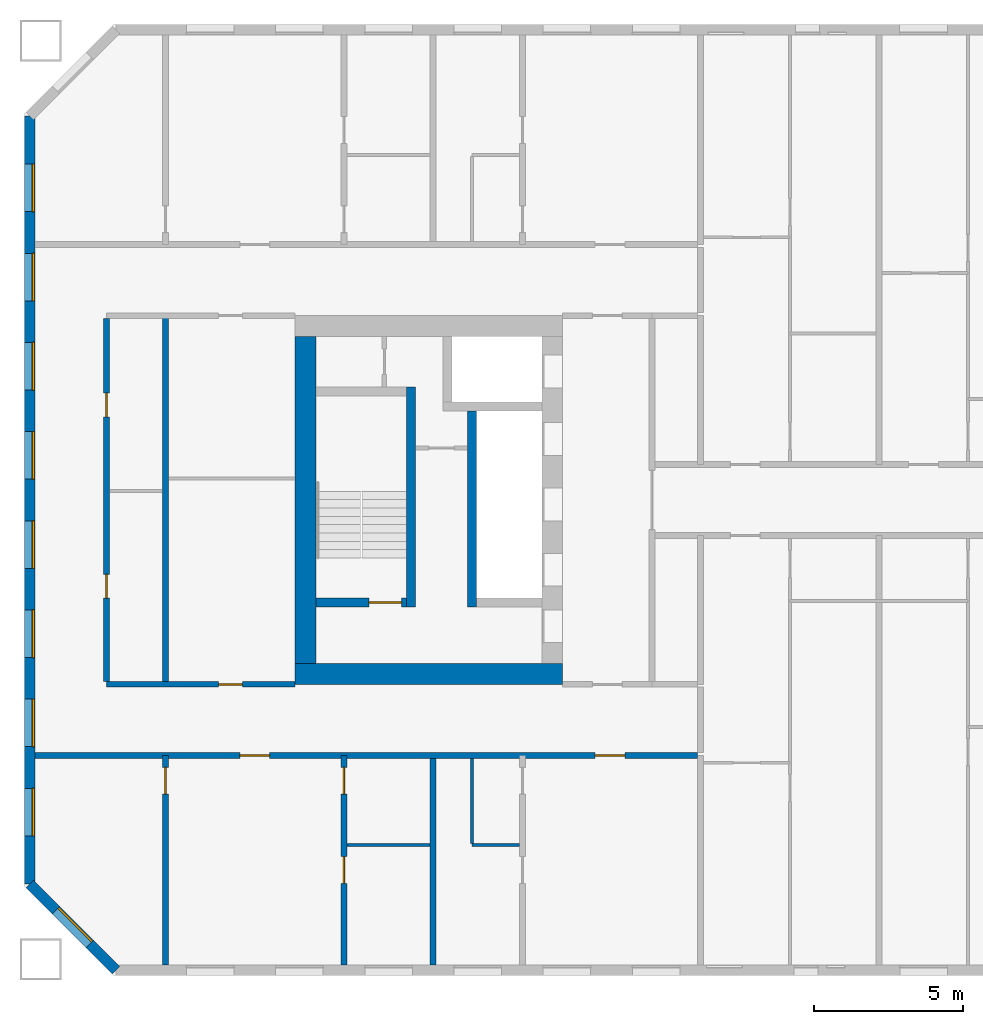
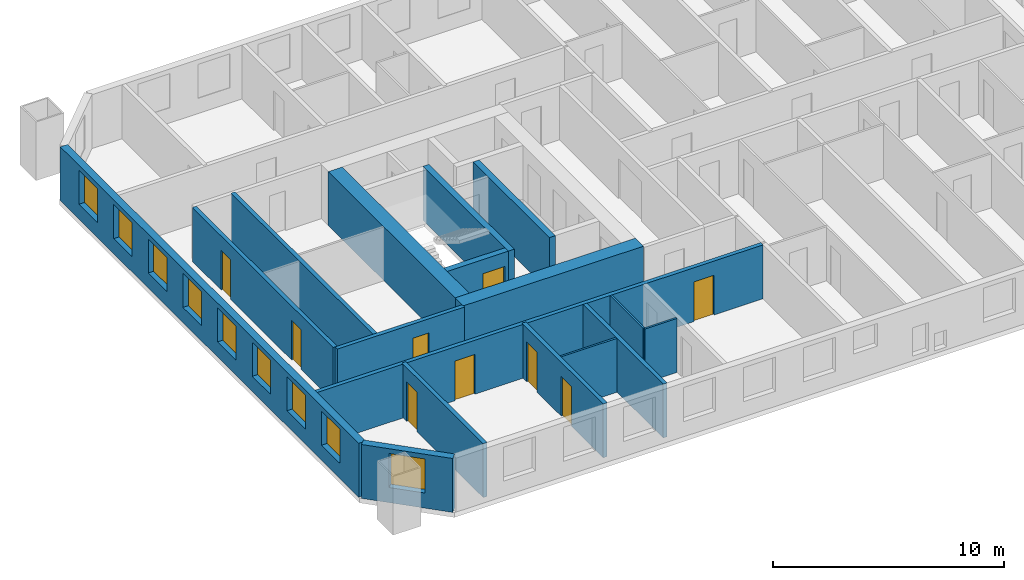
# One storey, part 2 of 16: 17 walls, 9 doors, 9 windows, 18 openings.
"""IFC4 building model written with IfcOpenShell, lengths in metres."""

from ifc_helpers import new_model, si_unit, direction, frame, frame_2d, origin, place, context, subcontext, project, spatial, rectangle, extrude, material, layer, layer_set, type_object, element, fill, save


model = new_model("IFC4")

# Units and contexts
model_context = context("Model", 3, precision=1e-05, world=origin(), true_north=direction((0.0, 1.0)))
body_context = subcontext(model_context, "Body", "Model", "MODEL_VIEW")
ifc_project = project(units=[si_unit("LENGTHUNIT", "METRE"), si_unit("AREAUNIT", "SQUARE_METRE"), si_unit("VOLUMEUNIT", "CUBIC_METRE"), si_unit("PLANEANGLEUNIT", "RADIAN"), si_unit("MASSUNIT", "GRAM", prefix="KILO")], contexts=[model_context])

# Site, building, storey
site_placement = place(None, origin())
site = spatial("IfcSite", under=ifc_project, at=site_placement, CompositionType="ELEMENT")
building_placement = place(site_placement, origin())
building = spatial("IfcBuilding", under=site, at=building_placement, Name="Tuart Gate Housing", CompositionType="ELEMENT")
storey_placement = place(building_placement, frame((0.0, 0.0, 87.10009765625)))
storey = spatial("IfcBuildingStorey", under=building, at=storey_placement, Name="L24", CompositionType="ELEMENT", Elevation=87.10009765625)

# Wall, opening, window
ifc_material_1 = material(Name="Brick", Category="masonry")
ifc_layer_1 = layer(ifc_material_1, 0.360107421875)
ifc_layer_set_1 = layer_set([ifc_layer_1], Name="Brick pier and spandrel wall 360")
wall_type_1 = type_object("IfcWallType", Name="Brick pier and spandrel wall 360", PredefinedType="STANDARD", material=ifc_layer_set_1)
wall_1_placement = place(storey_placement, frame((23.429931640625, 57.07470703125, 0.0), z_axis=(0.0, 0.0, 1.0), x_axis=(0.707106781187, -0.707106781187, 0.0)))
wall_1 = element("IfcWall", 1, at=wall_1_placement, inside=storey, type_object=wall_type_1, Name="External wall A-SW L24", PredefinedType="STANDARD", context=body_context, shape_type="SweptSolid", body=[
    extrude(rectangle(XDim=4.09375, YDim=0.360107421875, at=frame_2d((2.046875, 0.0))), origin(), (0.0, 0.0, 1.0), 2.849853515625),
])
opening_1_placement = place(wall_1_placement, frame((1.2470703125, 0.0, 0.800048828125)))
opening_1 = element("IfcOpeningElement", 2, at=opening_1_placement, cuts=wall_1, Name="Opening W1", PredefinedType="OPENING", context=body_context, shape_type="SweptSolid", body=[
    extrude(rectangle(XDim=1.60009765625, YDim=1.800048828125, at=frame_2d((0.800048828125, 0.89990234375))), frame((0.0, 0.18994140625, 0.0), z_axis=(0.0, -1.0, 0.0), x_axis=(1.0, 0.0, 0.0)), (0.0, 0.0, 1.0), 0.380126953125),
])
ifc_material_2 = material(Name="Aluminium frame with clear glass", Category="aluminium")
window_type = type_object("IfcWindowType", Name="Punched window 1600 x 1800", PartitioningType="SINGLE_PANEL", PredefinedType="WINDOW", material=ifc_material_2)
window_1_placement = place(opening_1_placement, origin())
window_1 = element("IfcWindow", 3, at=window_1_placement, inside=storey, type_object=window_type, Name="Window W1", OverallHeight=1.800048828125, OverallWidth=1.60009765625, PartitioningType="SINGLE_PANEL", PredefinedType="WINDOW", context=body_context, shape_type="SweptSolid", body=[
    extrude(rectangle(XDim=1.60009765625, YDim=1.800048828125, at=frame_2d((0.800048828125, 0.89990234375))), frame((0.0, 0.150146484375, 0.0), z_axis=(0.0, -1.0, 0.0), x_axis=(1.0, 0.0, 0.0)), (0.0, 0.0, 1.0), 0.06005859375),
])
fill(opening_1, window_1)

# Wall, openings, windows
wall_2_placement = place(storey_placement, frame((23.429931640625, 82.92529296875, 0.0), z_axis=(0.0, 0.0, 1.0), x_axis=(0.0, -1.0, 0.0)))
wall_2 = element("IfcWall", 4, at=wall_2_placement, inside=storey, type_object=wall_type_1, Name="External wall A-W L24", PredefinedType="STANDARD", context=body_context, shape_type="SweptSolid", body=[
    extrude(rectangle(XDim=25.850830078125, YDim=0.360107421875, at=frame_2d((12.92529296875, 0.0))), origin(), (0.0, 0.0, 1.0), 2.849853515625),
])
opening_2_placement = place(wall_2_placement, frame((1.62548828125, 0.0, 0.800048828125)))
opening_2 = element("IfcOpeningElement", 5, at=opening_2_placement, cuts=wall_2, Name="Opening W1", PredefinedType="OPENING", context=body_context, shape_type="SweptSolid", body=[
    extrude(rectangle(XDim=1.60009765625, YDim=1.800048828125, at=frame_2d((0.800048828125, 0.89990234375))), frame((0.0, 0.18994140625, 0.0), z_axis=(0.0, -1.0, 0.0), x_axis=(1.0, 0.0, 0.0)), (0.0, 0.0, 1.0), 0.380126953125),
])
opening_3_placement = place(wall_2_placement, frame((4.62548828125, 0.0, 0.800048828125)))
opening_3 = element("IfcOpeningElement", 6, at=opening_3_placement, cuts=wall_2, Name="Opening W1", PredefinedType="OPENING", context=body_context, shape_type="SweptSolid", body=[
    extrude(rectangle(XDim=1.60009765625, YDim=1.800048828125, at=frame_2d((0.800048828125, 0.89990234375))), frame((0.0, 0.18994140625, 0.0), z_axis=(0.0, -1.0, 0.0), x_axis=(1.0, 0.0, 0.0)), (0.0, 0.0, 1.0), 0.380126953125),
])
opening_4_placement = place(wall_2_placement, frame((7.62548828125, 0.0, 0.800048828125)))
opening_4 = element("IfcOpeningElement", 7, at=opening_4_placement, cuts=wall_2, Name="Opening W1", PredefinedType="OPENING", context=body_context, shape_type="SweptSolid", body=[
    extrude(rectangle(XDim=1.60009765625, YDim=1.800048828125, at=frame_2d((0.800048828125, 0.89990234375))), frame((0.0, 0.18994140625, 0.0), z_axis=(0.0, -1.0, 0.0), x_axis=(1.0, 0.0, 0.0)), (0.0, 0.0, 1.0), 0.380126953125),
])
opening_5_placement = place(wall_2_placement, frame((10.62548828125, 0.0, 0.800048828125)))
opening_5 = element("IfcOpeningElement", 8, at=opening_5_placement, cuts=wall_2, Name="Opening W1", PredefinedType="OPENING", context=body_context, shape_type="SweptSolid", body=[
    extrude(rectangle(XDim=1.60009765625, YDim=1.800048828125, at=frame_2d((0.800048828125, 0.89990234375))), frame((0.0, 0.18994140625, 0.0), z_axis=(0.0, -1.0, 0.0), x_axis=(1.0, 0.0, 0.0)), (0.0, 0.0, 1.0), 0.380126953125),
])
opening_6_placement = place(wall_2_placement, frame((13.62548828125, 0.0, 0.800048828125)))
opening_6 = element("IfcOpeningElement", 9, at=opening_6_placement, cuts=wall_2, Name="Opening W1", PredefinedType="OPENING", context=body_context, shape_type="SweptSolid", body=[
    extrude(rectangle(XDim=1.60009765625, YDim=1.800048828125, at=frame_2d((0.800048828125, 0.89990234375))), frame((0.0, 0.18994140625, 0.0), z_axis=(0.0, -1.0, 0.0), x_axis=(1.0, 0.0, 0.0)), (0.0, 0.0, 1.0), 0.380126953125),
])
opening_7_placement = place(wall_2_placement, frame((16.62548828125, 0.0, 0.800048828125)))
opening_7 = element("IfcOpeningElement", 10, at=opening_7_placement, cuts=wall_2, Name="Opening W1", PredefinedType="OPENING", context=body_context, shape_type="SweptSolid", body=[
    extrude(rectangle(XDim=1.60009765625, YDim=1.800048828125, at=frame_2d((0.800048828125, 0.89990234375))), frame((0.0, 0.18994140625, 0.0), z_axis=(0.0, -1.0, 0.0), x_axis=(1.0, 0.0, 0.0)), (0.0, 0.0, 1.0), 0.380126953125),
])
opening_8_placement = place(wall_2_placement, frame((19.62548828125, 0.0, 0.800048828125)))
opening_8 = element("IfcOpeningElement", 11, at=opening_8_placement, cuts=wall_2, Name="Opening W1", PredefinedType="OPENING", context=body_context, shape_type="SweptSolid", body=[
    extrude(rectangle(XDim=1.60009765625, YDim=1.800048828125, at=frame_2d((0.800048828125, 0.89990234375))), frame((0.0, 0.18994140625, 0.0), z_axis=(0.0, -1.0, 0.0), x_axis=(1.0, 0.0, 0.0)), (0.0, 0.0, 1.0), 0.380126953125),
])
opening_9_placement = place(wall_2_placement, frame((22.62548828125, 0.0, 0.800048828125)))
opening_9 = element("IfcOpeningElement", 12, at=opening_9_placement, cuts=wall_2, Name="Opening W1", PredefinedType="OPENING", context=body_context, shape_type="SweptSolid", body=[
    extrude(rectangle(XDim=1.60009765625, YDim=1.800048828125, at=frame_2d((0.800048828125, 0.89990234375))), frame((0.0, 0.18994140625, 0.0), z_axis=(0.0, -1.0, 0.0), x_axis=(1.0, 0.0, 0.0)), (0.0, 0.0, 1.0), 0.380126953125),
])
window_2_placement = place(opening_2_placement, origin())
window_2 = element("IfcWindow", 13, at=window_2_placement, inside=storey, type_object=window_type, Name="Window W1", OverallHeight=1.800048828125, OverallWidth=1.60009765625, PartitioningType="SINGLE_PANEL", PredefinedType="WINDOW", context=body_context, shape_type="SweptSolid", body=[
    extrude(rectangle(XDim=1.60009765625, YDim=1.800048828125, at=frame_2d((0.800048828125, 0.89990234375))), frame((0.0, 0.150146484375, 0.0), z_axis=(0.0, -1.0, 0.0), x_axis=(1.0, 0.0, 0.0)), (0.0, 0.0, 1.0), 0.06005859375),
])
fill(opening_2, window_2)
window_3_placement = place(opening_3_placement, origin())
window_3 = element("IfcWindow", 14, at=window_3_placement, inside=storey, type_object=window_type, Name="Window W1", OverallHeight=1.800048828125, OverallWidth=1.60009765625, PartitioningType="SINGLE_PANEL", PredefinedType="WINDOW", context=body_context, shape_type="SweptSolid", body=[
    extrude(rectangle(XDim=1.60009765625, YDim=1.800048828125, at=frame_2d((0.800048828125, 0.89990234375))), frame((0.0, 0.150146484375, 0.0), z_axis=(0.0, -1.0, 0.0), x_axis=(1.0, 0.0, 0.0)), (0.0, 0.0, 1.0), 0.06005859375),
])
fill(opening_3, window_3)
window_4_placement = place(opening_4_placement, origin())
window_4 = element("IfcWindow", 15, at=window_4_placement, inside=storey, type_object=window_type, Name="Window W1", OverallHeight=1.800048828125, OverallWidth=1.60009765625, PartitioningType="SINGLE_PANEL", PredefinedType="WINDOW", context=body_context, shape_type="SweptSolid", body=[
    extrude(rectangle(XDim=1.60009765625, YDim=1.800048828125, at=frame_2d((0.800048828125, 0.89990234375))), frame((0.0, 0.150146484375, 0.0), z_axis=(0.0, -1.0, 0.0), x_axis=(1.0, 0.0, 0.0)), (0.0, 0.0, 1.0), 0.06005859375),
])
fill(opening_4, window_4)
window_5_placement = place(opening_5_placement, origin())
window_5 = element("IfcWindow", 16, at=window_5_placement, inside=storey, type_object=window_type, Name="Window W1", OverallHeight=1.800048828125, OverallWidth=1.60009765625, PartitioningType="SINGLE_PANEL", PredefinedType="WINDOW", context=body_context, shape_type="SweptSolid", body=[
    extrude(rectangle(XDim=1.60009765625, YDim=1.800048828125, at=frame_2d((0.800048828125, 0.89990234375))), frame((0.0, 0.150146484375, 0.0), z_axis=(0.0, -1.0, 0.0), x_axis=(1.0, 0.0, 0.0)), (0.0, 0.0, 1.0), 0.06005859375),
])
fill(opening_5, window_5)
window_6_placement = place(opening_6_placement, origin())
window_6 = element("IfcWindow", 17, at=window_6_placement, inside=storey, type_object=window_type, Name="Window W1", OverallHeight=1.800048828125, OverallWidth=1.60009765625, PartitioningType="SINGLE_PANEL", PredefinedType="WINDOW", context=body_context, shape_type="SweptSolid", body=[
    extrude(rectangle(XDim=1.60009765625, YDim=1.800048828125, at=frame_2d((0.800048828125, 0.89990234375))), frame((0.0, 0.150146484375, 0.0), z_axis=(0.0, -1.0, 0.0), x_axis=(1.0, 0.0, 0.0)), (0.0, 0.0, 1.0), 0.06005859375),
])
fill(opening_6, window_6)
window_7_placement = place(opening_7_placement, origin())
window_7 = element("IfcWindow", 18, at=window_7_placement, inside=storey, type_object=window_type, Name="Window W1", OverallHeight=1.800048828125, OverallWidth=1.60009765625, PartitioningType="SINGLE_PANEL", PredefinedType="WINDOW", context=body_context, shape_type="SweptSolid", body=[
    extrude(rectangle(XDim=1.60009765625, YDim=1.800048828125, at=frame_2d((0.800048828125, 0.89990234375))), frame((0.0, 0.150146484375, 0.0), z_axis=(0.0, -1.0, 0.0), x_axis=(1.0, 0.0, 0.0)), (0.0, 0.0, 1.0), 0.06005859375),
])
fill(opening_7, window_7)
window_8_placement = place(opening_8_placement, origin())
window_8 = element("IfcWindow", 19, at=window_8_placement, inside=storey, type_object=window_type, Name="Window W1", OverallHeight=1.800048828125, OverallWidth=1.60009765625, PartitioningType="SINGLE_PANEL", PredefinedType="WINDOW", context=body_context, shape_type="SweptSolid", body=[
    extrude(rectangle(XDim=1.60009765625, YDim=1.800048828125, at=frame_2d((0.800048828125, 0.89990234375))), frame((0.0, 0.150146484375, 0.0), z_axis=(0.0, -1.0, 0.0), x_axis=(1.0, 0.0, 0.0)), (0.0, 0.0, 1.0), 0.06005859375),
])
fill(opening_8, window_8)
window_9_placement = place(opening_9_placement, origin())
window_9 = element("IfcWindow", 20, at=window_9_placement, inside=storey, type_object=window_type, Name="Window W1", OverallHeight=1.800048828125, OverallWidth=1.60009765625, PartitioningType="SINGLE_PANEL", PredefinedType="WINDOW", context=body_context, shape_type="SweptSolid", body=[
    extrude(rectangle(XDim=1.60009765625, YDim=1.800048828125, at=frame_2d((0.800048828125, 0.89990234375))), frame((0.0, 0.150146484375, 0.0), z_axis=(0.0, -1.0, 0.0), x_axis=(1.0, 0.0, 0.0)), (0.0, 0.0, 1.0), 0.06005859375),
])
fill(opening_9, window_9)

# Wall, opening, door
ifc_material_3 = material(Name="Concrete C50", Category="concrete")
ifc_layer_2 = layer(ifc_material_3, 0.300048828125)
ifc_layer_set_2 = layer_set([ifc_layer_2], Name="Core wall 300 C50")
wall_type_2 = type_object("IfcWallType", Name="Core wall 300 C50", PredefinedType="SHEAR", material=ifc_layer_set_2)
wall_3_placement = place(storey_placement, frame((36.110107421875, 66.550048828125, 0.0), z_axis=(0.0, 0.0, 1.0), x_axis=(-1.0, 0.0, 0.0)))
wall_3 = element("IfcWall", 21, at=wall_3_placement, inside=storey, type_object=wall_type_2, Name="Core wall AK.5", PredefinedType="SHEAR", context=body_context, shape_type="SweptSolid", body=[
    extrude(rectangle(XDim=3.050048828125, YDim=0.300048828125, at=frame_2d((1.52490234375, 0.0))), origin(), (0.0, 0.0, 1.0), 2.849853515625),
])
opening_10_placement = place(wall_3_placement, frame((0.169921875, 0.0, 0.0)))
opening_10 = element("IfcOpeningElement", 22, at=opening_10_placement, cuts=wall_3, Name="Opening D989", PredefinedType="OPENING", context=body_context, shape_type="SweptSolid", body=[
    extrude(rectangle(XDim=1.10009765625, YDim=2.10009765625, at=frame_2d((0.550048828125, 1.050048828125))), frame((0.0, 0.159912109375, 0.0), z_axis=(0.0, -1.0, 0.0), x_axis=(1.0, 0.0, 0.0)), (0.0, 0.0, 1.0), 0.320068359375),
])
ifc_material_4 = material(Name="Steel fire door", Category="steel")
door_type_1 = type_object("IfcDoorType", Name="Stair door 1100 x 2100 RH", OperationType="SINGLE_SWING_RIGHT", PredefinedType="DOOR", material=ifc_material_4)
door_1_placement = place(opening_10_placement, frame((1.10009765625, 0.0, 0.0), z_axis=(0.0, 0.0, 1.0), x_axis=(-1.0, 0.0, 0.0)))
door_1 = element("IfcDoor", 23, at=door_1_placement, inside=storey, type_object=door_type_1, Name="Stair door AK.SD", OperationType="SINGLE_SWING_RIGHT", OverallHeight=2.10009765625, OverallWidth=1.10009765625, PredefinedType="DOOR", context=body_context, shape_type="SweptSolid", body=[
    extrude(rectangle(XDim=1.10009765625, YDim=2.10009765625, at=frame_2d((0.550048828125, 1.050048828125))), frame((0.0, 0.025146484375, 0.0), z_axis=(0.0, -1.0, 0.0), x_axis=(1.0, 0.0, 0.0)), (0.0, 0.0, 1.0), 0.050048828125),
])
fill(opening_10, door_1)

# Walls
wall_4_placement = place(storey_placement, frame((38.31005859375, 73.0, 0.0), z_axis=(0.0, 0.0, 1.0), x_axis=(0.0, -1.0, 0.0)))
element("IfcWall", 24, at=wall_4_placement, inside=storey, type_object=wall_type_2, Name="Core wall AK.6", PredefinedType="SHEAR", context=body_context, shape_type="SweptSolid", body=[
    extrude(rectangle(XDim=6.60009765625, YDim=0.300048828125, at=frame_2d((3.300048828125, 0.0))), origin(), (0.0, 0.0, 1.0), 2.849853515625),
])
wall_5_placement = place(storey_placement, frame((36.260009765625, 73.800048828125, 0.0), z_axis=(0.0, 0.0, 1.0), x_axis=(0.0, -1.0, 0.0)))
element("IfcWall", 25, at=wall_5_placement, inside=storey, type_object=wall_type_2, Name="Core wall AK.8", PredefinedType="SHEAR", context=body_context, shape_type="SweptSolid", body=[
    extrude(rectangle(XDim=7.400146484375, YDim=0.300048828125, at=frame_2d((3.7001953125, 0.0))), origin(), (0.0, 0.0, 1.0), 2.849853515625),
])
ifc_material_5 = material(Name="Concrete C50", Category="concrete")
ifc_layer_3 = layer(ifc_material_5, 0.699951171875)
ifc_layer_set_3 = layer_set([ifc_layer_3], Name="Core wall 700 C50")
wall_type_3 = type_object("IfcWallType", Name="Core wall 700 C50", PredefinedType="SHEAR", material=ifc_layer_set_3)
wall_6_placement = place(storey_placement, frame((32.7099609375, 75.5, 0.0), z_axis=(0.0, 0.0, 1.0), x_axis=(0.0, -1.0, 0.0)))
element("IfcWall", 26, at=wall_6_placement, inside=storey, type_object=wall_type_3, Name="Core wall AK back", PredefinedType="SHEAR", context=body_context, shape_type="SweptSolid", body=[
    extrude(rectangle(XDim=11.0, YDim=0.699951171875, at=frame_2d((5.5, 0.0))), origin(), (0.0, 0.0, 1.0), 2.849853515625),
])
wall_7_placement = place(storey_placement, frame((41.360107421875, 64.14990234375, 0.0), z_axis=(0.0, 0.0, 1.0), x_axis=(-1.0, 0.0, 0.0)))
element("IfcWall", 27, at=wall_7_placement, inside=storey, type_object=wall_type_3, Name="Core wall AK north", PredefinedType="SHEAR", context=body_context, shape_type="SweptSolid", body=[
    extrude(rectangle(XDim=9.0, YDim=0.699951171875, at=frame_2d((4.5, 0.0))), origin(), (0.0, 0.0, 1.0), 2.849853515625),
])

# Wall, openings, doors
ifc_material_6 = material(Name="Concrete masonry 15 MPa", Category="masonry")
ifc_layer_4 = layer(ifc_material_6, 0.199951171875)
ifc_layer_set_4 = layer_set([ifc_layer_4], Name="Corridor wall masonry 200")
wall_type_4 = type_object("IfcWallType", Name="Corridor wall masonry 200", PredefinedType="PARTITIONING", material=ifc_layer_set_4)
wall_8_placement = place(storey_placement, frame((23.610107421875, 61.39990234375, 0.0), z_axis=(0.0, 0.0, 1.0), x_axis=(1.0, 0.0, 0.0)))
wall_8 = element("IfcWall", 28, at=wall_8_placement, inside=storey, type_object=wall_type_4, Name="Corridor wall masonry 200", PredefinedType="PARTITIONING", context=body_context, shape_type="SweptSolid", body=[
    extrude(rectangle(XDim=22.289794921875, YDim=0.199951171875, at=frame_2d((11.14501953125, 0.0))), origin(), (0.0, 0.0, 1.0), 2.849853515625),
])
opening_11_placement = place(wall_8_placement, frame((18.840087890625, 0.0, 0.0)))
opening_11 = element("IfcOpeningElement", 29, at=opening_11_placement, cuts=wall_8, Name="Opening D1001", PredefinedType="OPENING", context=body_context, shape_type="SweptSolid", body=[
    extrude(rectangle(XDim=1.0, YDim=2.10009765625, at=frame_2d((0.5, 1.050048828125))), frame((0.0, 0.10986328125, 0.0), z_axis=(0.0, -1.0, 0.0), x_axis=(1.0, 0.0, 0.0)), (0.0, 0.0, 1.0), 0.219970703125),
])
opening_12_placement = place(wall_8_placement, frame((6.889892578125, 0.0, 0.0)))
opening_12 = element("IfcOpeningElement", 30, at=opening_12_placement, cuts=wall_8, Name="Opening D1002", PredefinedType="OPENING", context=body_context, shape_type="SweptSolid", body=[
    extrude(rectangle(XDim=1.0, YDim=2.10009765625, at=frame_2d((0.5, 1.050048828125))), frame((0.0, 0.10986328125, 0.0), z_axis=(0.0, -1.0, 0.0), x_axis=(1.0, 0.0, 0.0)), (0.0, 0.0, 1.0), 0.219970703125),
])
ifc_material_7 = material(Name="Timber door leaf in steel frame", Category="steel")
door_type_2 = type_object("IfcDoorType", Name="Flat entrance door 1000 RH", OperationType="SINGLE_SWING_RIGHT", PredefinedType="DOOR", material=ifc_material_7)
door_2_placement = place(opening_11_placement, frame((1.0, 0.0, 0.0), z_axis=(0.0, 0.0, 1.0), x_axis=(-1.0, 0.0, 0.0)))
door_2 = element("IfcDoor", 31, at=door_2_placement, inside=storey, type_object=door_type_2, Name="Flat entrance door", OperationType="SINGLE_SWING_RIGHT", OverallHeight=2.10009765625, OverallWidth=1.0, PredefinedType="DOOR", context=body_context, shape_type="SweptSolid", body=[
    extrude(rectangle(XDim=1.0, YDim=2.10009765625, at=frame_2d((0.5, 1.050048828125))), frame((0.0, 0.025146484375, 0.0), z_axis=(0.0, -1.0, 0.0), x_axis=(1.0, 0.0, 0.0)), (0.0, 0.0, 1.0), 0.050048828125),
])
fill(opening_11, door_2)
door_3_placement = place(opening_12_placement, frame((1.0, 0.0, 0.0), z_axis=(0.0, 0.0, 1.0), x_axis=(-1.0, 0.0, 0.0)))
door_3 = element("IfcDoor", 32, at=door_3_placement, inside=storey, type_object=door_type_2, Name="Flat entrance door", OperationType="SINGLE_SWING_RIGHT", OverallHeight=2.10009765625, OverallWidth=1.0, PredefinedType="DOOR", context=body_context, shape_type="SweptSolid", body=[
    extrude(rectangle(XDim=1.0, YDim=2.10009765625, at=frame_2d((0.5, 1.050048828125))), frame((0.0, 0.025146484375, 0.0), z_axis=(0.0, -1.0, 0.0), x_axis=(1.0, 0.0, 0.0)), (0.0, 0.0, 1.0), 0.050048828125),
])
fill(opening_12, door_3)

# Wall, opening, door
wall_9_placement = place(storey_placement, frame((26.010009765625, 63.800048828125, 0.0), z_axis=(0.0, 0.0, 1.0), x_axis=(1.0, 0.0, 0.0)))
wall_9 = element("IfcWall", 33, at=wall_9_placement, inside=storey, type_object=wall_type_4, Name="Corridor wall masonry 200", PredefinedType="PARTITIONING", context=body_context, shape_type="SweptSolid", body=[
    extrude(rectangle(XDim=6.35009765625, YDim=0.199951171875, at=frame_2d((3.175048828125, 0.0))), origin(), (0.0, 0.0, 1.0), 2.849853515625),
])
opening_13_placement = place(wall_9_placement, frame((3.77001953125, 0.0, 0.0)))
opening_13 = element("IfcOpeningElement", 34, at=opening_13_placement, cuts=wall_9, Name="Opening D990", PredefinedType="OPENING", context=body_context, shape_type="SweptSolid", body=[
    extrude(rectangle(XDim=0.800048828125, YDim=2.10009765625, at=frame_2d((0.39990234375, 1.050048828125))), frame((0.0, 0.10986328125, 0.0), z_axis=(0.0, -1.0, 0.0), x_axis=(1.0, 0.0, 0.0)), (0.0, 0.0, 1.0), 0.219970703125),
])
ifc_material_8 = material(Name="Timber door leaf in steel frame", Category="steel")
door_type_3 = type_object("IfcDoorType", Name="Store door 800", OperationType="SINGLE_SWING_LEFT", PredefinedType="DOOR", material=ifc_material_8)
door_4_placement = place(opening_13_placement, origin())
door_4 = element("IfcDoor", 35, at=door_4_placement, inside=storey, type_object=door_type_3, Name="Store door", OperationType="SINGLE_SWING_LEFT", OverallHeight=2.10009765625, OverallWidth=0.800048828125, PredefinedType="DOOR", context=body_context, shape_type="SweptSolid", body=[
    extrude(rectangle(XDim=0.800048828125, YDim=2.10009765625, at=frame_2d((0.39990234375, 1.050048828125))), frame((0.0, 0.02490234375, 0.0), z_axis=(0.0, -1.0, 0.0), x_axis=(1.0, 0.0, 0.0)), (0.0, 0.0, 1.0), 0.050048828125),
])
fill(opening_13, door_4)

# Wall, openings, doors
wall_10_placement = place(storey_placement, frame((26.010009765625, 63.89990234375, 0.0), z_axis=(0.0, 0.0, 1.0), x_axis=(0.0, 1.0, 0.0)))
wall_10 = element("IfcWall", 36, at=wall_10_placement, inside=storey, type_object=wall_type_4, Name="Corridor wall masonry 200", PredefinedType="PARTITIONING", context=body_context, shape_type="SweptSolid", body=[
    extrude(rectangle(XDim=12.2001953125, YDim=0.199951171875, at=frame_2d((6.10009765625, 0.0))), origin(), (0.0, 0.0, 1.0), 2.849853515625),
])
opening_14_placement = place(wall_10_placement, frame((2.800048828125, 0.0, 0.0)))
opening_14 = element("IfcOpeningElement", 37, at=opening_14_placement, cuts=wall_10, Name="Opening D979", PredefinedType="OPENING", context=body_context, shape_type="SweptSolid", body=[
    extrude(rectangle(XDim=0.800048828125, YDim=2.10009765625, at=frame_2d((0.39990234375, 1.050048828125))), frame((0.0, 0.10986328125, 0.0), z_axis=(0.0, -1.0, 0.0), x_axis=(1.0, 0.0, 0.0)), (0.0, 0.0, 1.0), 0.219970703125),
])
opening_15_placement = place(wall_10_placement, frame((8.89990234375, 0.0, 0.0)))
opening_15 = element("IfcOpeningElement", 38, at=opening_15_placement, cuts=wall_10, Name="Opening D980", PredefinedType="OPENING", context=body_context, shape_type="SweptSolid", body=[
    extrude(rectangle(XDim=0.800048828125, YDim=2.10009765625, at=frame_2d((0.39990234375, 1.050048828125))), frame((0.0, 0.10986328125, 0.0), z_axis=(0.0, -1.0, 0.0), x_axis=(1.0, 0.0, 0.0)), (0.0, 0.0, 1.0), 0.219970703125),
])
door_5_placement = place(opening_14_placement, frame((0.800048828125, 0.0, 0.0), z_axis=(0.0, 0.0, 1.0), x_axis=(-1.0, 0.0, 0.0)))
door_5 = element("IfcDoor", 39, at=door_5_placement, inside=storey, type_object=door_type_3, Name="Store door", OperationType="SINGLE_SWING_LEFT", OverallHeight=2.10009765625, OverallWidth=0.800048828125, PredefinedType="DOOR", context=body_context, shape_type="SweptSolid", body=[
    extrude(rectangle(XDim=0.800048828125, YDim=2.10009765625, at=frame_2d((0.400146484375, 1.050048828125))), frame((0.0, 0.025146484375, 0.0), z_axis=(0.0, -1.0, 0.0), x_axis=(1.0, 0.0, 0.0)), (0.0, 0.0, 1.0), 0.050048828125),
])
fill(opening_14, door_5)
ifc_material_9 = material(Name="Timber door leaf in steel frame", Category="steel")
door_type_4 = type_object("IfcDoorType", Name="Store door 800 RH", OperationType="SINGLE_SWING_RIGHT", PredefinedType="DOOR", material=ifc_material_9)
door_6_placement = place(opening_15_placement, frame((0.800048828125, 0.0, 0.0), z_axis=(0.0, 0.0, 1.0), x_axis=(-1.0, 0.0, 0.0)))
door_6 = element("IfcDoor", 40, at=door_6_placement, inside=storey, type_object=door_type_4, Name="Store door", OperationType="SINGLE_SWING_RIGHT", OverallHeight=2.10009765625, OverallWidth=0.800048828125, PredefinedType="DOOR", context=body_context, shape_type="SweptSolid", body=[
    extrude(rectangle(XDim=0.800048828125, YDim=2.10009765625, at=frame_2d((0.400146484375, 1.050048828125))), frame((0.0, 0.025146484375, 0.0), z_axis=(0.0, -1.0, 0.0), x_axis=(1.0, 0.0, 0.0)), (0.0, 0.0, 1.0), 0.050048828125),
])
fill(opening_15, door_6)

# Walls
ifc_material_10 = material(Name="Gypsum board on steel studs", Category="steel")
ifc_layer_5 = layer(ifc_material_10, 0.10009765625)
ifc_layer_set_5 = layer_set([ifc_layer_5], Name="Partition 100")
wall_type_5 = type_object("IfcWallType", Name="Partition 100", PredefinedType="PARTITIONING", material=ifc_layer_set_5)
wall_11_placement = place(storey_placement, frame((34.10009765625, 58.39990234375, 0.0), z_axis=(0.0, 0.0, 1.0), x_axis=(1.0, 0.0, 0.0)))
element("IfcWall", 41, at=wall_11_placement, inside=storey, type_object=wall_type_5, Name="Partition 100", PredefinedType="PARTITIONING", context=body_context, shape_type="SweptSolid", body=[
    extrude(rectangle(XDim=2.7998046875, YDim=0.10009765625, at=frame_2d((1.39990234375, 0.0))), origin(), (0.0, 0.0, 1.0), 2.849853515625),
])
wall_12_placement = place(storey_placement, frame((38.300048828125, 58.39990234375, 0.0), z_axis=(0.0, 0.0, 1.0), x_axis=(1.0, 0.0, 0.0)))
element("IfcWall", 42, at=wall_12_placement, inside=storey, type_object=wall_type_5, Name="Partition 100", PredefinedType="PARTITIONING", context=body_context, shape_type="SweptSolid", body=[
    extrude(rectangle(XDim=1.599853515625, YDim=0.10009765625, at=frame_2d((0.7998046875, 0.0))), origin(), (0.0, 0.0, 1.0), 2.849853515625),
])
wall_13_placement = place(storey_placement, frame((38.300048828125, 58.449951171875, 0.0), z_axis=(0.0, 0.0, 1.0), x_axis=(0.0, 1.0, 0.0)))
element("IfcWall", 43, at=wall_13_placement, inside=storey, type_object=wall_type_5, Name="Partition 100", PredefinedType="PARTITIONING", context=body_context, shape_type="SweptSolid", body=[
    extrude(rectangle(XDim=2.85009765625, YDim=0.10009765625, at=frame_2d((1.425048828125, 0.0))), origin(), (0.0, 0.0, 1.0), 2.849853515625),
])

# Wall, opening, door
ifc_material_11 = material(Name="Concrete C40", Category="concrete")
ifc_layer_6 = layer(ifc_material_11, 0.199951171875)
ifc_layer_set_6 = layer_set([ifc_layer_6], Name="Party wall concrete C40 200")
wall_type_6 = type_object("IfcWallType", Name="Party wall concrete C40 200", PredefinedType="SOLIDWALL", material=ifc_layer_set_6)
wall_14_placement = place(storey_placement, frame((28.0, 54.360107421875, 0.0), z_axis=(0.0, 0.0, 1.0), x_axis=(0.0, 1.0, 0.0)))
wall_14 = element("IfcWall", 44, at=wall_14_placement, inside=storey, type_object=wall_type_6, Name="Party wall concrete C40 200", PredefinedType="SOLIDWALL", context=body_context, shape_type="SweptSolid", body=[
    extrude(rectangle(XDim=7.039794921875, YDim=0.199951171875, at=frame_2d((3.52001953125, 0.0))), origin(), (0.0, 0.0, 1.0), 2.849853515625),
])
opening_16_placement = place(wall_14_placement, frame((5.739990234375, 0.0, 0.0)))
opening_16 = element("IfcOpeningElement", 45, at=opening_16_placement, cuts=wall_14, Name="Opening D1008", PredefinedType="OPENING", context=body_context, shape_type="SweptSolid", body=[
    extrude(rectangle(XDim=0.89990234375, YDim=2.10009765625, at=frame_2d((0.449951171875, 1.050048828125))), frame((0.0, 0.10986328125, 0.0), z_axis=(0.0, -1.0, 0.0), x_axis=(1.0, 0.0, 0.0)), (0.0, 0.0, 1.0), 0.219970703125),
])
ifc_material_12 = material(Name="Timber door leaf in steel frame", Category="steel")
door_type_5 = type_object("IfcDoorType", Name="Internal door 900 RH", OperationType="SINGLE_SWING_RIGHT", PredefinedType="DOOR", material=ifc_material_12)
door_7_placement = place(opening_16_placement, origin())
door_7 = element("IfcDoor", 46, at=door_7_placement, inside=storey, type_object=door_type_5, Name="Internal door", OperationType="SINGLE_SWING_RIGHT", OverallHeight=2.10009765625, OverallWidth=0.89990234375, PredefinedType="DOOR", context=body_context, shape_type="SweptSolid", body=[
    extrude(rectangle(XDim=0.89990234375, YDim=2.10009765625, at=frame_2d((0.449951171875, 1.050048828125))), frame((0.0, 0.02490234375, 0.0), z_axis=(0.0, -1.0, 0.0), x_axis=(1.0, 0.0, 0.0)), (0.0, 0.0, 1.0), 0.050048828125),
])
fill(opening_16, door_7)

# Wall
wall_15_placement = place(storey_placement, frame((28.0, 63.800048828125, 0.0), z_axis=(0.0, 0.0, 1.0), x_axis=(0.0, 1.0, 0.0)))
element("IfcWall", 47, at=wall_15_placement, inside=storey, type_object=wall_type_6, Name="Party wall concrete C40 200", PredefinedType="SOLIDWALL", context=body_context, shape_type="SweptSolid", body=[
    extrude(rectangle(XDim=12.39990234375, YDim=0.199951171875, at=frame_2d((6.199951171875, 0.0))), origin(), (0.0, 0.0, 1.0), 2.849853515625),
])

# Wall, openings, doors
wall_16_placement = place(storey_placement, frame((34.0, 54.360107421875, 0.0), z_axis=(0.0, 0.0, 1.0), x_axis=(0.0, 1.0, 0.0)))
wall_16 = element("IfcWall", 48, at=wall_16_placement, inside=storey, type_object=wall_type_6, Name="Party wall concrete C40 200", PredefinedType="SOLIDWALL", context=body_context, shape_type="SweptSolid", body=[
    extrude(rectangle(XDim=7.039794921875, YDim=0.199951171875, at=frame_2d((3.52001953125, 0.0))), origin(), (0.0, 0.0, 1.0), 2.849853515625),
])
opening_17_placement = place(wall_16_placement, frame((2.739990234375, 0.0, 0.0)))
opening_17 = element("IfcOpeningElement", 49, at=opening_17_placement, cuts=wall_16, Name="Opening D1010", PredefinedType="OPENING", context=body_context, shape_type="SweptSolid", body=[
    extrude(rectangle(XDim=0.89990234375, YDim=2.10009765625, at=frame_2d((0.449951171875, 1.050048828125))), frame((0.0, 0.10986328125, 0.0), z_axis=(0.0, -1.0, 0.0), x_axis=(1.0, 0.0, 0.0)), (0.0, 0.0, 1.0), 0.219970703125),
])
opening_18_placement = place(wall_16_placement, frame((5.739990234375, 0.0, 0.0)))
opening_18 = element("IfcOpeningElement", 50, at=opening_18_placement, cuts=wall_16, Name="Opening D1009", PredefinedType="OPENING", context=body_context, shape_type="SweptSolid", body=[
    extrude(rectangle(XDim=0.89990234375, YDim=2.10009765625, at=frame_2d((0.449951171875, 1.050048828125))), frame((0.0, 0.10986328125, 0.0), z_axis=(0.0, -1.0, 0.0), x_axis=(1.0, 0.0, 0.0)), (0.0, 0.0, 1.0), 0.219970703125),
])
ifc_material_13 = material(Name="Timber door leaf in steel frame", Category="steel")
door_type_6 = type_object("IfcDoorType", Name="Bathroom door 900", OperationType="SINGLE_SWING_LEFT", PredefinedType="DOOR", material=ifc_material_13)
door_8_placement = place(opening_18_placement, frame((0.89990234375, 0.0, 0.0), z_axis=(0.0, 0.0, 1.0), x_axis=(-1.0, 0.0, 0.0)))
door_8 = element("IfcDoor", 51, at=door_8_placement, inside=storey, type_object=door_type_6, Name="Bathroom door", OperationType="SINGLE_SWING_LEFT", OverallHeight=2.10009765625, OverallWidth=0.89990234375, PredefinedType="DOOR", context=body_context, shape_type="SweptSolid", body=[
    extrude(rectangle(XDim=0.89990234375, YDim=2.10009765625, at=frame_2d((0.449951171875, 1.050048828125))), frame((0.0, 0.025146484375, 0.0), z_axis=(0.0, -1.0, 0.0), x_axis=(1.0, 0.0, 0.0)), (0.0, 0.0, 1.0), 0.050048828125),
])
fill(opening_18, door_8)
ifc_material_14 = material(Name="Timber door leaf in steel frame", Category="steel")
door_type_7 = type_object("IfcDoorType", Name="Internal door 900", OperationType="SINGLE_SWING_LEFT", PredefinedType="DOOR", material=ifc_material_14)
door_9_placement = place(opening_17_placement, frame((0.89990234375, 0.0, 0.0), z_axis=(0.0, 0.0, 1.0), x_axis=(-1.0, 0.0, 0.0)))
door_9 = element("IfcDoor", 52, at=door_9_placement, inside=storey, type_object=door_type_7, Name="Internal door", OperationType="SINGLE_SWING_LEFT", OverallHeight=2.10009765625, OverallWidth=0.89990234375, PredefinedType="DOOR", context=body_context, shape_type="SweptSolid", body=[
    extrude(rectangle(XDim=0.89990234375, YDim=2.10009765625, at=frame_2d((0.449951171875, 1.050048828125))), frame((0.0, 0.025146484375, 0.0), z_axis=(0.0, -1.0, 0.0), x_axis=(1.0, 0.0, 0.0)), (0.0, 0.0, 1.0), 0.050048828125),
])
fill(opening_17, door_9)

# Wall
ifc_material_15 = material(Name="Concrete masonry 15 MPa", Category="masonry")
ifc_layer_7 = layer(ifc_material_15, 0.199951171875)
ifc_layer_set_7 = layer_set([ifc_layer_7], Name="Party wall masonry 200")
wall_type_7 = type_object("IfcWallType", Name="Party wall masonry 200", PredefinedType="PARTITIONING", material=ifc_layer_set_7)
wall_17_placement = place(storey_placement, frame((37.0, 54.360107421875, 0.0), z_axis=(0.0, 0.0, 1.0), x_axis=(0.0, 1.0, 0.0)))
element("IfcWall", 53, at=wall_17_placement, inside=storey, type_object=wall_type_7, Name="Party wall masonry 200", PredefinedType="PARTITIONING", context=body_context, shape_type="SweptSolid", body=[
    extrude(rectangle(XDim=6.93994140625, YDim=0.199951171875, at=frame_2d((3.469970703125, 0.0))), origin(), (0.0, 0.0, 1.0), 2.849853515625),
])

save(model, "model.ifc")
